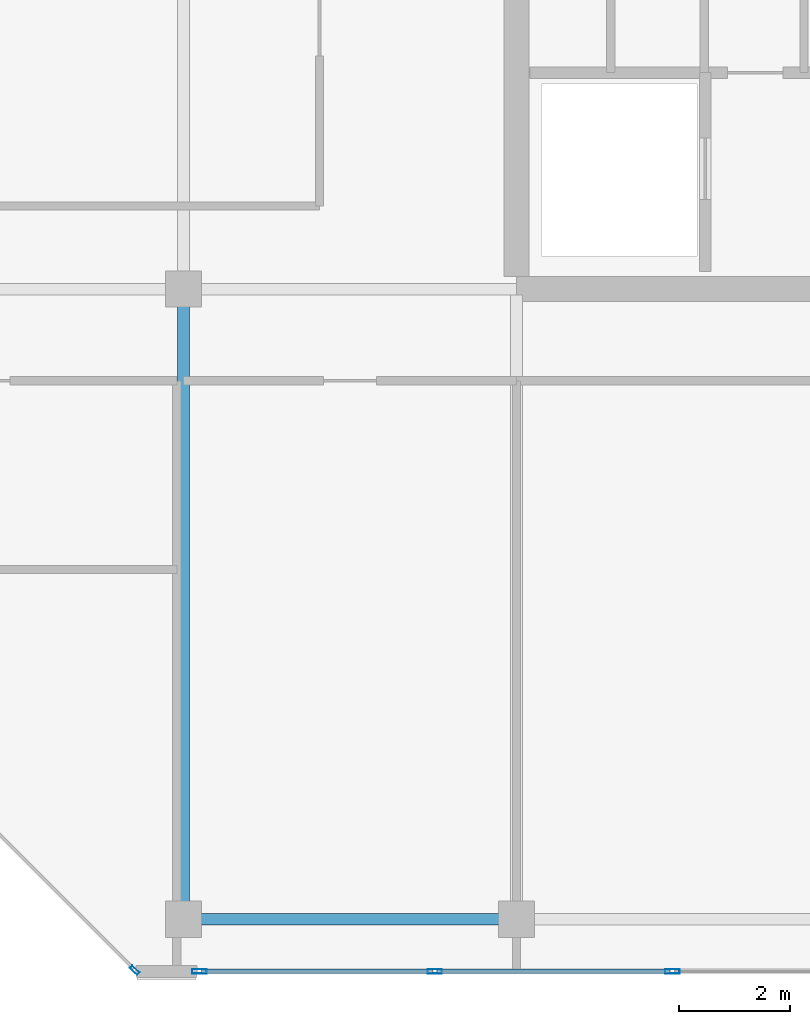
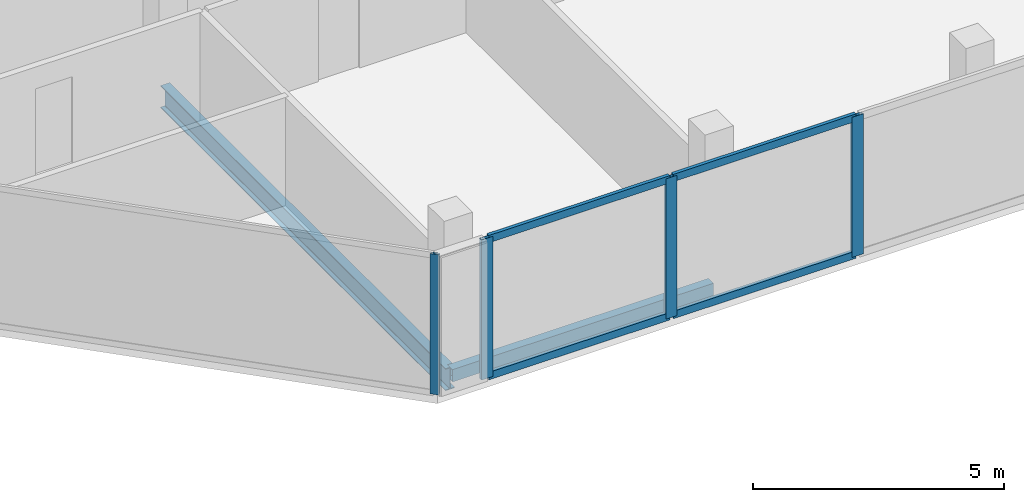
# One storey, part 10 of 30: 8 members, 2 beams, 2 elements without a shape of their own.
"""IFC4 building model written with IfcOpenShell, lengths in metres."""

from ifc_helpers import new_model, si_unit, direction, frame, origin, origin_2d, place, context, subcontext, project, spatial, hollow_rectangle, i_section, extrude, material, layer, layer_set, material_profile, profile_set, type_object, element, aggregate, save


model = new_model("IFC4")

# Units and contexts
model_context = context("Model", 3, precision=1e-05, world=origin(), true_north=direction((0.0, 1.0)))
body_context = subcontext(model_context, "Body", "Model", "MODEL_VIEW")
ifc_project = project(units=[si_unit("LENGTHUNIT", "METRE"), si_unit("AREAUNIT", "SQUARE_METRE"), si_unit("VOLUMEUNIT", "CUBIC_METRE"), si_unit("PLANEANGLEUNIT", "RADIAN"), si_unit("MASSUNIT", "GRAM", prefix="KILO")], contexts=[model_context])

# Site, building, storey
site_placement = place(None, origin())
site = spatial("IfcSite", under=ifc_project, at=site_placement, CompositionType="ELEMENT")
building_placement = place(site_placement, origin())
building = spatial("IfcBuilding", under=site, at=building_placement, Name="Tanjung Sevakor Pilgrim Tower", CompositionType="ELEMENT")
storey_placement = place(building_placement, frame((0.0, 0.0, 253.43994140625)))
storey = spatial("IfcBuildingStorey", under=building, at=storey_placement, Name="L71", CompositionType="ELEMENT", Elevation=253.43994140625)

# Beams
ifc_material_1 = material(Name="Steel S355J2", Category="steel")
ifc_material_profile_1 = material_profile(ifc_material_1, i_section(OverallWidth=0.210693359375, OverallDepth=0.53955078125, WebThickness=0.01171875, FlangeThickness=0.018798828125, FilletRadius=0.0126953125, at=origin_2d()))
ifc_profile_set_1 = profile_set([ifc_material_profile_1], Name="Steel S355J2")
beam_type_1 = type_object("IfcBeamType", Name="BM-B-G6-UB_533x210x109", PredefinedType="BEAM", material=ifc_profile_set_1)
beam_1_placement = place(storey_placement, frame((72.0, 13.25, -0.48974609375), z_axis=(0.0, 1.0, 0.0), x_axis=(-1.0, 0.0, 0.0)))
element("IfcBeam", 1, at=beam_1_placement, inside=storey, type_object=beam_type_1, Name="L71 EAST Girder 002", PredefinedType="BEAM", context=body_context, shape_type="SweptSolid", body=[
    extrude(i_section(OverallWidth=0.210693359375, OverallDepth=0.53955078125, WebThickness=0.01171875, FlangeThickness=0.018798828125, FilletRadius=0.0126953125, at=origin_2d()), origin(), (0.0, 0.0, 1.0), 11.35009765625),
])
ifc_material_2 = material(Name="Steel S355J2", Category="steel")
ifc_material_profile_2 = material_profile(ifc_material_2, hollow_rectangle(XDim=0.199951171875, YDim=0.300048828125, WallThickness=0.012451171875, at=origin_2d()))
ifc_profile_set_2 = profile_set([ifc_material_profile_2], Name="Steel S355J2")
beam_type_2 = type_object("IfcBeamType", Name="BM-B-SP3-RHS_300x200x12.5", PredefinedType="SPANDREL", material=ifc_profile_set_2)
beam_2_placement = place(storey_placement, frame((72.0, 13.25, -0.369873046875), z_axis=(1.0, 0.0, 0.0), x_axis=(0.0, 1.0, 0.0)))
element("IfcBeam", 2, at=beam_2_placement, inside=storey, type_object=beam_type_2, Name="L71 Spandrel EAST S-01", PredefinedType="SPANDREL", context=body_context, shape_type="SweptSolid", body=[
    extrude(hollow_rectangle(XDim=0.199951171875, YDim=0.300048828125, WallThickness=0.012451171875, at=origin_2d()), origin(), (0.0, 0.0, 1.0), 6.0),
])

# Curtain wall, member
ifc_material_3 = material(Name="Aluminium 6063-T6 and Low-E Glass", Category="aluminium")
ifc_layer_1 = layer(ifc_material_3, 0.179931640625)
ifc_layer_set_1 = layer_set([ifc_layer_1], Name="CW-SYS-CHAM")
curtain_wall_type_1 = type_object("IfcCurtainWallType", Name="CW-SYS-CHAM", PredefinedType="NOTDEFINED", material=ifc_layer_set_1)
curtain_wall_1_placement = place(storey_placement, origin())
curtain_wall_1 = element("IfcCurtainWall", 3, at=curtain_wall_1_placement, inside=storey, type_object=curtain_wall_type_1, Name="L71 Curtain Wall CW-CHM-L71-EAST-7", PredefinedType="NOTDEFINED")
ifc_material_4 = material(Name="Aluminium 6063-T6", Category="aluminium")
ifc_material_profile_3 = material_profile(ifc_material_4, hollow_rectangle(XDim=0.06494140625, YDim=0.179931640625, WallThickness=0.00390625, at=origin_2d()))
ifc_profile_set_3 = profile_set([ifc_material_profile_3], Name="Aluminium 6063-T6")
member_type_1 = type_object("IfcMemberType", Name="TYPE-CWM-1", PredefinedType="MULLION", material=ifc_profile_set_3)
member_1_placement = place(storey_placement, frame((71.12255859375, 12.3330078125, 0.0), z_axis=(0.0, 0.0, 1.0), x_axis=(0.707106781187, 0.707106781187, 0.0)))
member_1 = element("IfcMember", 4, at=member_1_placement, type_object=member_type_1, Name="CW-CHM mullion 2", PredefinedType="MULLION", context=body_context, shape_type="SweptSolid", body=[
    extrude(hollow_rectangle(XDim=0.06494140625, YDim=0.179931640625, WallThickness=0.00390625, at=origin_2d()), origin(), (0.0, 0.0, 1.0), 3.41015625),
])
aggregate(curtain_wall_1, [member_1])

# Curtain wall, members
ifc_material_5 = material(Name="Aluminium 6063-T6 and Low-E Glass", Category="aluminium")
ifc_layer_2 = layer(ifc_material_5, 0.219970703125)
ifc_layer_set_2 = layer_set([ifc_layer_2], Name="CW-SYS-CRNE")
curtain_wall_type_2 = type_object("IfcCurtainWallType", Name="CW-SYS-CRNE", PredefinedType="NOTDEFINED", material=ifc_layer_set_2)
curtain_wall_2_placement = place(storey_placement, origin())
curtain_wall_2 = element("IfcCurtainWall", 5, at=curtain_wall_2_placement, inside=storey, type_object=curtain_wall_type_2, Name="L71 Curtain Wall CW-CRN-L71-EAST-0-1", PredefinedType="NOTDEFINED")
ifc_material_6 = material(Name="Aluminium 6063-T6", Category="aluminium")
ifc_material_profile_4 = material_profile(ifc_material_6, hollow_rectangle(XDim=0.080078125, YDim=0.260009765625, WallThickness=0.0048828125, at=origin_2d()))
ifc_profile_set_4 = profile_set([ifc_material_profile_4], Name="Aluminium 6063-T6")
member_type_2 = type_object("IfcMemberType", Name="TYPE-CWM-3", PredefinedType="MULLION", material=ifc_profile_set_4)
member_2_placement = place(storey_placement, frame((72.28564453125, 12.31005859375, 0.0), z_axis=(0.0, 0.0, 1.0), x_axis=(0.0, 1.0, 0.0)))
member_2 = element("IfcMember", 6, at=member_2_placement, type_object=member_type_2, Name="CW-CRE mullion 1", PredefinedType="MULLION", context=body_context, shape_type="SweptSolid", body=[
    extrude(hollow_rectangle(XDim=0.080078125, YDim=0.260009765625, WallThickness=0.0048828125, at=origin_2d()), origin(), (0.0, 0.0, 1.0), 3.41015625),
])
member_3_placement = place(storey_placement, frame((76.52734375, 12.31005859375, 0.0), z_axis=(0.0, 0.0, 1.0), x_axis=(0.0, 1.0, 0.0)))
member_3 = element("IfcMember", 7, at=member_3_placement, type_object=member_type_2, Name="CW-CRE mullion 2", PredefinedType="MULLION", context=body_context, shape_type="SweptSolid", body=[
    extrude(hollow_rectangle(XDim=0.080078125, YDim=0.260009765625, WallThickness=0.0048828125, at=origin_2d()), origin(), (0.0, 0.0, 1.0), 3.41015625),
])
member_4_placement = place(storey_placement, frame((80.80908203125, 12.31005859375, 0.0), z_axis=(0.0, 0.0, 1.0), x_axis=(0.0, 1.0, 0.0)))
member_4 = element("IfcMember", 8, at=member_4_placement, type_object=member_type_2, Name="CW-CRE mullion 3", PredefinedType="MULLION", context=body_context, shape_type="SweptSolid", body=[
    extrude(hollow_rectangle(XDim=0.080078125, YDim=0.260009765625, WallThickness=0.0048828125, at=origin_2d()), origin(), (0.0, 0.0, 1.0), 3.41015625),
])
ifc_material_7 = material(Name="Aluminium 6063-T6", Category="aluminium")
ifc_material_profile_5 = material_profile(ifc_material_7, hollow_rectangle(XDim=0.080078125, YDim=0.179931640625, WallThickness=0.0048828125, at=origin_2d()))
ifc_profile_set_5 = profile_set([ifc_material_profile_5], Name="Aluminium 6063-T6")
member_type_3 = type_object("IfcMemberType", Name="TYPE-CWT-3", PredefinedType="USERDEFINED", material=ifc_profile_set_5)
member_5_placement = place(storey_placement, frame((72.32568359375, 12.31005859375, 0.0400390625), z_axis=(1.0, 0.0, 0.0), x_axis=(0.0, 1.0, 0.0)))
member_5 = element("IfcMember", 9, at=member_5_placement, type_object=member_type_3, Name="CW-CRE transom 1.1", ObjectType="TRANSOM", PredefinedType="USERDEFINED", context=body_context, shape_type="SweptSolid", body=[
    extrude(hollow_rectangle(XDim=0.080078125, YDim=0.179931640625, WallThickness=0.0048828125, at=origin_2d()), origin(), (0.0, 0.0, 1.0), 4.16162109375),
])
member_6_placement = place(storey_placement, frame((72.32568359375, 12.31005859375, 3.3701171875), z_axis=(1.0, 0.0, 0.0), x_axis=(0.0, 1.0, 0.0)))
member_6 = element("IfcMember", 10, at=member_6_placement, type_object=member_type_3, Name="CW-CRE transom 1.2", ObjectType="TRANSOM", PredefinedType="USERDEFINED", context=body_context, shape_type="SweptSolid", body=[
    extrude(hollow_rectangle(XDim=0.080078125, YDim=0.179931640625, WallThickness=0.0048828125, at=origin_2d()), origin(), (0.0, 0.0, 1.0), 4.16162109375),
])
member_7_placement = place(storey_placement, frame((76.5673828125, 12.31005859375, 0.0400390625), z_axis=(1.0, 0.0, 0.0), x_axis=(0.0, 1.0, 0.0)))
member_7 = element("IfcMember", 11, at=member_7_placement, type_object=member_type_3, Name="CW-CRE transom 2.1", ObjectType="TRANSOM", PredefinedType="USERDEFINED", context=body_context, shape_type="SweptSolid", body=[
    extrude(hollow_rectangle(XDim=0.080078125, YDim=0.179931640625, WallThickness=0.0048828125, at=origin_2d()), origin(), (0.0, 0.0, 1.0), 4.20166015625),
])
member_8_placement = place(storey_placement, frame((76.5673828125, 12.31005859375, 3.3701171875), z_axis=(1.0, 0.0, 0.0), x_axis=(0.0, 1.0, 0.0)))
member_8 = element("IfcMember", 12, at=member_8_placement, type_object=member_type_3, Name="CW-CRE transom 2.2", ObjectType="TRANSOM", PredefinedType="USERDEFINED", context=body_context, shape_type="SweptSolid", body=[
    extrude(hollow_rectangle(XDim=0.080078125, YDim=0.179931640625, WallThickness=0.0048828125, at=origin_2d()), origin(), (0.0, 0.0, 1.0), 4.20166015625),
])
aggregate(curtain_wall_2, [member_2, member_3, member_4, member_5, member_6, member_7, member_8])

save(model, "model.ifc")
